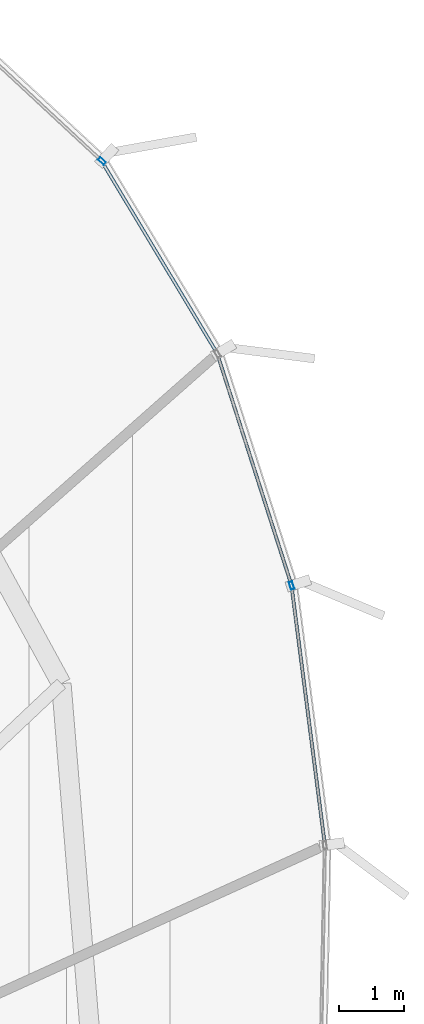
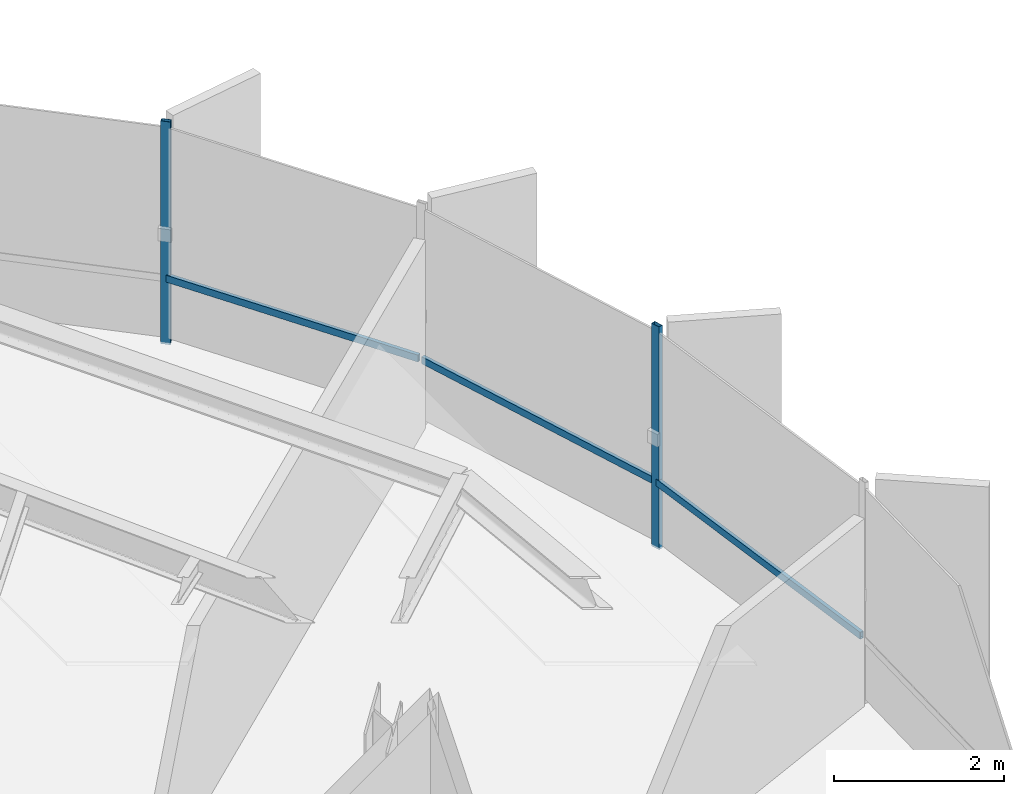
# One storey, part 25 of 34: 5 members, 1 element without a shape of its own.
"""IFC4 building model written with IfcOpenShell, lengths in metres."""

from ifc_helpers import new_model, si_unit, direction, frame, origin, origin_2d, place, context, subcontext, project, spatial, hollow_rectangle, extrude, source, transform, mapped, material, layer, layer_set, material_profile, profile_set, type_object, element, aggregate, save


model = new_model("IFC4")

# Units and contexts
model_context = context("Model", 3, precision=1e-05, world=origin(), true_north=direction((0.0, 1.0)))
body_context = subcontext(model_context, "Body", "Model", "MODEL_VIEW")
ifc_project = project(units=[si_unit("LENGTHUNIT", "METRE"), si_unit("AREAUNIT", "SQUARE_METRE"), si_unit("VOLUMEUNIT", "CUBIC_METRE"), si_unit("PLANEANGLEUNIT", "RADIAN"), si_unit("MASSUNIT", "GRAM", prefix="KILO"), si_unit("THERMODYNAMICTEMPERATUREUNIT", "KELVIN")], contexts=[model_context])

# Site, building, storey
site_placement = place(None, origin())
site = spatial("IfcSite", under=ifc_project, at=site_placement, CompositionType="ELEMENT")
building_placement = place(site_placement, origin())
building = spatial("IfcBuilding", under=site, at=building_placement, Name="Kethvar Cultural Tower", CompositionType="ELEMENT")
storey_placement = place(building_placement, frame((0.0, 0.0, 259.449951171875)))
storey = spatial("IfcBuildingStorey", under=building, at=storey_placement, Name="L68", CompositionType="ELEMENT", Elevation=259.449951171875)

# Curtain wall, members
ifc_material = material(Name="Aluminium 6063-T6", Category="aluminium")
ifc_layer = layer(ifc_material, 0.179931640625, Name="Aluminium 6063-T6", Category="aluminium")
ifc_layer_set = layer_set([ifc_layer], Name="Aluminium 6063-T6 (180 mm)")
curtain_wall_type = type_object("IfcCurtainWallType", Name="CW-SYS-05-Z56", PredefinedType="NOTDEFINED", material=ifc_layer_set)
curtain_wall_placement = place(storey_placement, origin())
curtain_wall = element("IfcCurtainWall", 1, at=curtain_wall_placement, inside=storey, type_object=curtain_wall_type, Name="L68 Curtain Wall Run 06", PredefinedType="NOTDEFINED")
ifc_material_profile_1 = material_profile(ifc_material, hollow_rectangle(XDim=0.054931640625, YDim=0.1201171875, WallThickness=0.00390625, at=origin_2d()), Name="Aluminium 6063-T6 — RHS120x55x4")
ifc_profile_set_1 = profile_set([ifc_material_profile_1], Name="Aluminium 6063-T6 — RHS120x55x4")
member_type_1 = type_object("IfcMemberType", Name="CW-SYS-05-Z56-MUL", PredefinedType="MULLION", material=ifc_profile_set_1)
shared_shape_1 = source(origin(), body_context, "Body", "SweptSolid", [
    extrude(hollow_rectangle(XDim=0.054931640625, YDim=0.1201171875, WallThickness=0.00390625, at=origin_2d()), origin(), (0.0, 0.0, 1.0), 3.2099609375),
])
member_1_placement = place(storey_placement, frame((67.195068359375, 41.21142578125, 0.0), z_axis=(0.0, 0.0, 1.0), x_axis=(-0.952236042525, -0.30536293049, 0.0)))
member_1 = element("IfcMember", 2, at=member_1_placement, type_object=member_type_1, Name="CW-L68-R06 Mullion 4", PredefinedType="MULLION", context=body_context, shape_type="MappedRepresentation", body=[
    mapped(shared_shape_1, transform((0.0, 0.0, 0.0), scale=1.0)),
])
member_2_placement = place(storey_placement, frame((64.276611328125, 47.740234375, 0.0), z_axis=(0.0, 0.0, 1.0), x_axis=(-0.680541854643, -0.732709208404, 0.0)))
member_2 = element("IfcMember", 3, at=member_2_placement, type_object=member_type_1, Name="CW-L68-R06 Mullion 6", PredefinedType="MULLION", context=body_context, shape_type="MappedRepresentation", body=[
    mapped(shared_shape_1, transform((0.0, 0.0, 0.0), scale=1.0)),
])
ifc_material_profile_2 = material_profile(ifc_material, hollow_rectangle(XDim=0.050048828125, YDim=0.10009765625, WallThickness=0.00390625, at=origin_2d()), Name="Aluminium 6063-T6 — RHS100x50x4")
ifc_profile_set_2 = profile_set([ifc_material_profile_2], Name="Aluminium 6063-T6 — RHS100x50x4")
member_type_2 = type_object("IfcMemberType", Name="CW-SYS-05-Z56-TRN", PredefinedType="USERDEFINED", material=ifc_profile_set_2)
shared_shape_2 = source(origin(), body_context, "Body", "SweptSolid", [
    extrude(hollow_rectangle(XDim=0.050048828125, YDim=0.10009765625, WallThickness=0.00390625, at=origin_2d()), origin(), (0.0, 0.0, 1.0), 3.966064453125),
])
member_3_placement = place(storey_placement, frame((67.7021484375, 37.25634765625, 0.949951171875), z_axis=(-0.127549425941, 0.99183221562, 0.0), x_axis=(-0.99183221562, -0.127549425941, 0.0)))
member_3 = element("IfcMember", 4, at=member_3_placement, type_object=member_type_2, Name="CW-L68-R06 Transom 3", ObjectType="TRANSOM", PredefinedType="USERDEFINED", context=body_context, shape_type="MappedRepresentation", body=[
    mapped(shared_shape_2, transform((0.0, 0.0, 0.0), scale=1.0)),
])
shared_shape_3 = source(origin(), body_context, "Body", "SweptSolid", [
    extrude(hollow_rectangle(XDim=0.050048828125, YDim=0.10009765625, WallThickness=0.00390625, at=origin_2d()), origin(), (0.0, 0.0, 1.0), 3.687744140625),
])
member_4_placement = place(storey_placement, frame((67.18310546875, 41.2490234375, 0.949951171875), z_axis=(-0.30540263664, 0.952223308648, 0.0), x_axis=(-0.952223308648, -0.30540263664, 0.0)))
member_4 = element("IfcMember", 5, at=member_4_placement, type_object=member_type_2, Name="CW-L68-R06 Transom 4", ObjectType="TRANSOM", PredefinedType="USERDEFINED", context=body_context, shape_type="MappedRepresentation", body=[
    mapped(shared_shape_3, transform((0.0, 0.0, 0.0), scale=1.0)),
])
shared_shape_4 = source(origin(), body_context, "Body", "SweptSolid", [
    extrude(hollow_rectangle(XDim=0.050048828125, YDim=0.10009765625, WallThickness=0.00390625, at=origin_2d()), origin(), (0.0, 0.0, 1.0), 3.40380859375),
])
member_5_placement = place(storey_placement, frame((66.033935546875, 44.81103515625, 0.949951171875), z_axis=(-0.515402554457, 0.856948193801, 0.0), x_axis=(-0.856948193801, -0.515402554457, 0.0)))
member_5 = element("IfcMember", 6, at=member_5_placement, type_object=member_type_2, Name="CW-L68-R06 Transom 5", ObjectType="TRANSOM", PredefinedType="USERDEFINED", context=body_context, shape_type="MappedRepresentation", body=[
    mapped(shared_shape_4, transform((0.0, 0.0, 0.0), scale=1.0)),
])
aggregate(curtain_wall, [member_1, member_2, member_3, member_4, member_5])

save(model, "model.ifc")
